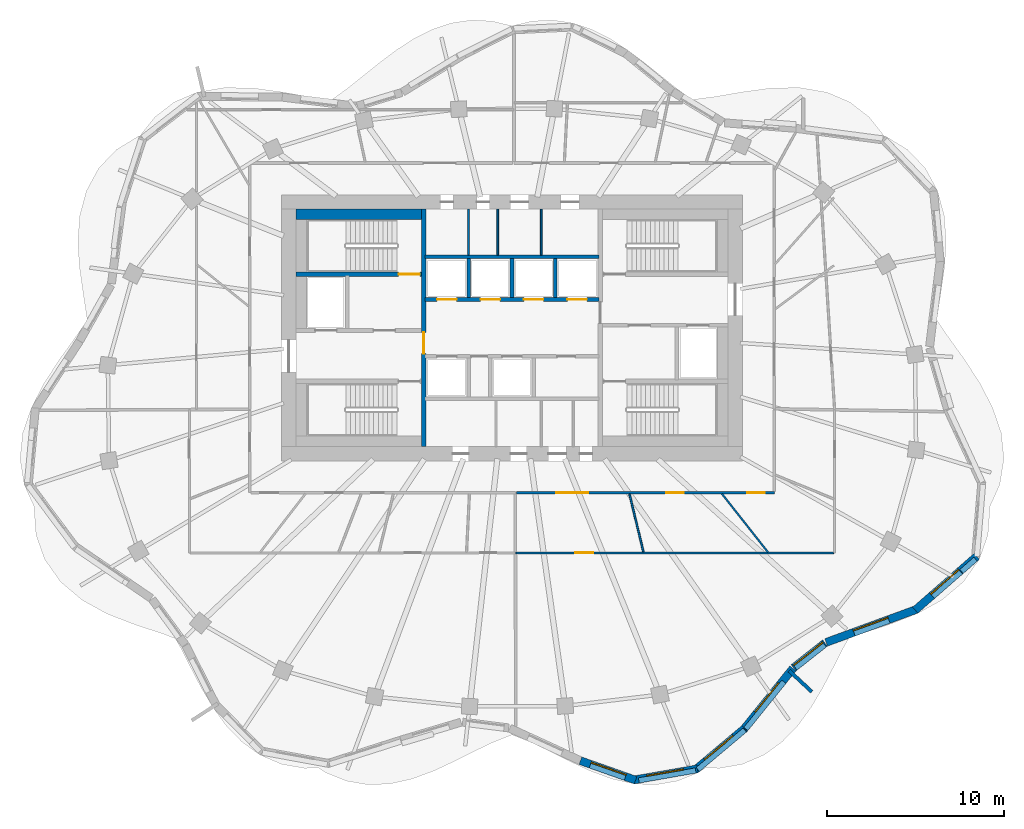
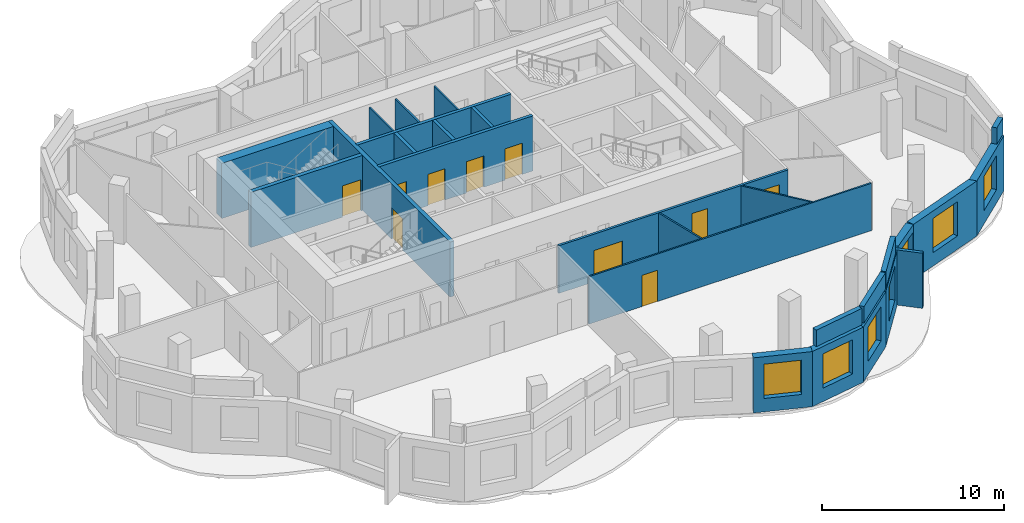
# One storey, part 5 of 9: 27 walls, 10 doors, 7 windows, 17 openings.
"""IFC4 building model written with IfcOpenShell, lengths in metres."""

import ifcopenshell
import ifcopenshell.guid

model = None  # the IFC model being written
_history = None  # IfcOwnerHistory: only IFC2X3 demands one
_inside = {}  # id of a spatial element -> (the spatial element, [elements in it])
_under = {}  # id of a project, library or spatial element -> (it, [spatial elements below it])
_declared = {}  # id of a project -> (the project, [libraries it declares])
_typed = {}  # id of a type object -> (the type object, [elements of that type])
_made_of = {}  # id of a material, layer set ... -> (it, [elements and type objects made of it])


def new_model(schema):
    """Start an empty IFC model of exactly this schema.

    Asked for "IFC4X3", IfcOpenShell would pick the latest addendum, in which some entities
    have other attributes; the version numbers below select the first issue.
    IFC2X3 requires an IfcOwnerHistory on every rooted entity: one is made here for all.
    """
    global model, _history
    if schema == "IFC4X3":
        model = ifcopenshell.file(schema_version=(4, 3, 0, 0))
    else:
        model = ifcopenshell.file(schema=schema)
    _inside.clear()
    _under.clear()
    _declared.clear()
    _typed.clear()
    _made_of.clear()
    _history = None
    if model.schema == "IFC2X3":
        org = make("IfcOrganization", Name="unknown")
        user = make(
            "IfcPersonAndOrganization",
            ThePerson=make("IfcPerson", FamilyName="unknown"),
            TheOrganization=org,
        )
        app = make(
            "IfcApplication",
            ApplicationDeveloper=org,
            Version="unknown",
            ApplicationFullName="unknown",
            ApplicationIdentifier="unknown",
        )
        _history = make(
            "IfcOwnerHistory",
            OwningUser=user,
            OwningApplication=app,
            ChangeAction="ADDED",
            CreationDate=0,
        )
    return model


def make(cls, **values):
    """One entity of the class cls with the attributes given. An attribute that is None is left unset."""
    return model.create_entity(
        cls, **{name: value for name, value in values.items() if value is not None}
    )


def rooted(cls, **values):
    """An entity with a GlobalId (a new one), such as an element, a storey or a relation."""
    return make(cls, GlobalId=ifcopenshell.guid.new(), OwnerHistory=_history, **values)


def si_unit(unit_type, name, prefix=None):
    """IfcSIUnit, for example si_unit("LENGTHUNIT", "METRE", prefix="MILLI")."""
    return make("IfcSIUnit", UnitType=unit_type, Prefix=prefix, Name=name)


def assignment(units):
    """IfcUnitAssignment: the units of a project."""
    return None if units is None else make("IfcUnitAssignment", Units=units)


def point(xyz):
    """IfcCartesianPoint."""
    return None if xyz is None else make("IfcCartesianPoint", Coordinates=xyz)


def direction(xyz):
    """IfcDirection."""
    return None if xyz is None else make("IfcDirection", DirectionRatios=xyz)


def frame(location, z_axis=None, x_axis=None):
    """IfcAxis2Placement3D, a coordinate frame: its origin and axes. An axis left out is left unset."""
    return make(
        "IfcAxis2Placement3D",
        Location=point(location),
        Axis=direction(z_axis),
        RefDirection=direction(x_axis),
    )


def frame_2d(location, x_axis=None):
    """IfcAxis2Placement2D, a coordinate frame in the plane: its origin and x axis."""
    return make(
        "IfcAxis2Placement2D", Location=point(location), RefDirection=direction(x_axis)
    )


def origin():
    """The frame at (0, 0, 0) with its axes left unset."""
    return frame((0.0, 0.0, 0.0))


def place(relative_to, where):
    """IfcLocalPlacement: puts the frame where relative to a parent placement (None: the world)."""
    return make(
        "IfcLocalPlacement", PlacementRelTo=relative_to, RelativePlacement=where
    )


def context(
    kind, dimensions, precision=None, world=None, true_north=None, identifier=None
):
    """IfcGeometricRepresentationContext, for example the 3D "Model" context."""
    return make(
        "IfcGeometricRepresentationContext",
        ContextIdentifier=identifier,
        ContextType=kind,
        CoordinateSpaceDimension=dimensions,
        Precision=precision,
        WorldCoordinateSystem=world,
        TrueNorth=true_north,
    )


def subcontext(parent, identifier, kind, view, scale=None):
    """IfcGeometricRepresentationSubContext, for example "Body" below "Model"."""
    return make(
        "IfcGeometricRepresentationSubContext",
        ContextIdentifier=identifier,
        ContextType=kind,
        ParentContext=parent,
        TargetScale=scale,
        TargetView=view,
    )


def project(units=None, contexts=None):
    """IfcProject with its units and contexts."""
    return rooted(
        "IfcProject",
        Name="project",
        RepresentationContexts=contexts,
        UnitsInContext=assignment(units),
    )


def spatial(cls, under=None, at=None, **own):
    """A site, building, storey or space (cls), placed at a placement, below another one or the project."""
    s = rooted(cls, ObjectPlacement=at, **own)
    if under is not None:
        _under.setdefault(under.id(), (under, []))[1].append(s)
    return s


def profile(cls, at=None, kind="AREA", **sizes):
    """A parametric profile (cls). Its sizes go by their IFC names, for example OverallWidth=200.0."""
    return make(cls, ProfileType=kind, Position=at, **sizes)


def rectangle(**sizes):
    """IfcRectangleProfileDef."""
    return profile("IfcRectangleProfileDef", **sizes)


def extrude(swept, where, along, depth):
    """IfcExtrudedAreaSolid: the profile swept, set in the frame where, extruded along a direction by depth."""
    return make(
        "IfcExtrudedAreaSolid",
        SweptArea=swept,
        Position=where,
        ExtrudedDirection=direction(along),
        Depth=depth,
    )


def shape(context_of_items, identifier, shape_type, items):
    """IfcShapeRepresentation: the items that make up one representation, for example the "Body"."""
    return make(
        "IfcShapeRepresentation",
        ContextOfItems=context_of_items,
        RepresentationIdentifier=identifier,
        RepresentationType=shape_type,
        Items=items,
    )


def material(Name=None, Category=None):
    """IfcMaterial."""
    return make("IfcMaterial", Name=Name, Category=Category)


def layer(
    of_material, thickness, ventilated=None, Name=None, Category=None, Priority=None
):
    """IfcMaterialLayer: one layer of a wall or slab, of a material (None: an air gap)."""
    return make(
        "IfcMaterialLayer",
        Material=of_material,
        LayerThickness=thickness,
        IsVentilated=ventilated,
        Name=Name,
        Category=Category,
        Priority=Priority,
    )


def layer_set(layers, Name=None):
    """IfcMaterialLayerSet."""
    return make("IfcMaterialLayerSet", MaterialLayers=layers, LayerSetName=Name)


def made_of(thing, what):
    """Note that an element or type object is made of a material, layer set ...; save() writes the relation."""
    if what is not None:
        _made_of.setdefault(what.id(), (what, []))[1].append(thing)
    return thing


def type_object(cls, material=None, **own):
    """A type object (cls), such as IfcWallType, which elements share."""
    return made_of(rooted(cls, **own), material)


def element(
    cls,
    number,
    at=None,
    inside=None,
    cuts=None,
    type_object=None,
    material=None,
    context=None,
    identifier="Body",
    shape_type=None,
    held_by="IfcProductDefinitionShape",
    body=None,
    shapes=None,
    **own,
):
    """One element of the class cls, such as IfcWall. Its Tag is "e" and its number.

    at: its placement. inside: the storey or other place that contains it. cuts: it is an
    opening in that element (IfcRelVoidsElement). A single representation is given by context,
    identifier, shape_type and body (its items); several are given by shapes. held_by: the class
    of the entity that holds the representations. save() writes the other relations.
    """
    e = rooted(cls, Tag="e%d" % number, ObjectPlacement=at, **own)
    if body is not None:
        shapes = [shape(context, identifier, shape_type, body)]
    if shapes is not None:
        e.Representation = make(held_by, Representations=shapes)
    if inside is not None:
        _inside.setdefault(inside.id(), (inside, []))[1].append(e)
    if cuts is not None:
        rooted(
            "IfcRelVoidsElement", RelatingBuildingElement=cuts, RelatedOpeningElement=e
        )
    if type_object is not None:
        _typed.setdefault(type_object.id(), (type_object, []))[1].append(e)
    return made_of(e, material)


def fill(opening, filler):
    """IfcRelFillsElement: the door or window that sits in an opening."""
    return rooted(
        "IfcRelFillsElement",
        RelatingOpeningElement=opening,
        RelatedBuildingElement=filler,
    )


def aggregate(whole, parts):
    """IfcRelAggregates: a whole, such as a stair, and the parts it consists of."""
    return rooted("IfcRelAggregates", RelatingObject=whole, RelatedObjects=parts)


def save(model, path):
    """Write the relations noted so far, then the file.

    IfcRelAggregates (storeys below a building ...), IfcRelContainedInSpatialStructure (elements
    in a storey), IfcRelDefinesByType, IfcRelAssociatesMaterial and IfcRelDeclares: one each for
    every whole, place, type object, material and project.
    """
    for whole, parts in _under.values():
        aggregate(whole, parts)
    for where, things in _inside.values():
        rooted(
            "IfcRelContainedInSpatialStructure",
            RelatedElements=things,
            RelatingStructure=where,
        )
    for kind, things in _typed.values():
        rooted("IfcRelDefinesByType", RelatedObjects=things, RelatingType=kind)
    for what, things in _made_of.values():
        rooted("IfcRelAssociatesMaterial", RelatedObjects=things, RelatingMaterial=what)
    for by, libraries in _declared.values():
        rooted("IfcRelDeclares", RelatingContext=by, RelatedDefinitions=libraries)
    model.write(path)


model = new_model("IFC4")

# Units and contexts
model_context = context("Model", 3, precision=1e-05, world=origin(), true_north=direction((0.0, 1.0)))
body_context = subcontext(model_context, "Body", "Model", "MODEL_VIEW")
ifc_project = project(units=[si_unit("LENGTHUNIT", "METRE"), si_unit("AREAUNIT", "SQUARE_METRE"), si_unit("VOLUMEUNIT", "CUBIC_METRE"), si_unit("PLANEANGLEUNIT", "RADIAN"), si_unit("MASSUNIT", "GRAM", prefix="KILO")], contexts=[model_context])

# Site, building, storey
site_placement = place(None, origin())
site = spatial("IfcSite", under=ifc_project, at=site_placement, CompositionType="ELEMENT")
building_placement = place(site_placement, origin())
building = spatial("IfcBuilding", under=site, at=building_placement, Name="Rubra Terraces Tower", CompositionType="ELEMENT")
storey_placement = place(building_placement, frame((0.0, 0.0, 300.0)))
storey = spatial("IfcBuildingStorey", under=building, at=storey_placement, Name="L74", CompositionType="ELEMENT", Elevation=300.0)

# Wall, opening, window
ifc_material_1 = material(Name="Brick masonry red-brown", Category="masonry")
ifc_layer_1 = layer(ifc_material_1, 0.449951171875)
ifc_layer_set_1 = layer_set([ifc_layer_1], Name="Brick masonry red-brown")
wall_type_1 = type_object("IfcWallType", Name="Brick facade wall 450", PredefinedType="SOLIDWALL", material=ifc_layer_set_1)
wall_1_placement = place(storey_placement, frame((3.8603515625, -19.922607421875, 0.0), z_axis=(0.0, 0.0, 1.0), x_axis=(0.943061302397, -0.33261897108, 0.0)))
wall_1 = element("IfcWall", 1, at=wall_1_placement, inside=storey, type_object=wall_type_1, Name="Facade wall L74 bay 32", PredefinedType="SOLIDWALL", context=body_context, shape_type="SweptSolid", body=[
    extrude(rectangle(XDim=3.301513671875, YDim=0.449951171875, at=frame_2d((1.65087890625, 0.0))), origin(), (0.0, 0.0, 1.0), 3.699951171875),
])
opening_1_placement = place(wall_1_placement, frame((0.600830078125, 0.0, 0.89990234375)))
opening_1 = element("IfcOpeningElement", 2, at=opening_1_placement, cuts=wall_1, Name="Opening W1B", PredefinedType="OPENING", context=body_context, shape_type="SweptSolid", body=[
    extrude(rectangle(XDim=2.10009765625, YDim=2.300048828125, at=frame_2d((1.050048828125, 1.14990234375))), frame((0.0, 0.23486328125, 0.0), z_axis=(0.0, -1.0, 0.0), x_axis=(1.0, 0.0, 0.0)), (0.0, 0.0, 1.0), 0.469970703125),
])
ifc_material_2 = material(Name="Clear glass in aluminium frame", Category="aluminium")
window_type = type_object("IfcWindowType", Name="Fixed deep-set window tall storey 2100 x 2300", PartitioningType="SINGLE_PANEL", PredefinedType="WINDOW", material=ifc_material_2)
window_1_placement = place(opening_1_placement, origin())
window_1 = element("IfcWindow", 3, at=window_1_placement, inside=storey, type_object=window_type, Name="Window L74 bay 32", OverallHeight=2.300048828125, OverallWidth=2.10009765625, PartitioningType="SINGLE_PANEL", PredefinedType="WINDOW", context=body_context, shape_type="SweptSolid", body=[
    extrude(rectangle(XDim=2.10009765625, YDim=2.300048828125, at=frame_2d((1.050048828125, 1.14990234375))), frame((0.0, 0.135009765625, 0.0), z_axis=(0.0, -1.0, 0.0), x_axis=(1.0, 0.0, 0.0)), (0.0, 0.0, 1.0), 0.06005859375),
])
fill(opening_1, window_1)

wall_2_placement = place(storey_placement, frame((6.860107421875, -21.011474609375, 0.0), z_axis=(0.0, 0.0, 1.0), x_axis=(0.985017416972, 0.172454887614, 0.0)))
wall_2 = element("IfcWall", 4, at=wall_2_placement, inside=storey, type_object=wall_type_1, Name="Facade wall L74 bay 33", PredefinedType="SOLIDWALL", context=body_context, shape_type="SweptSolid", body=[
    extrude(rectangle(XDim=3.65380859375, YDim=0.449951171875, at=frame_2d((1.826904296875, 0.0))), origin(), (0.0, 0.0, 1.0), 3.699951171875),
])
opening_2_placement = place(wall_2_placement, frame((0.77685546875, 0.0, 0.89990234375)))
opening_2 = element("IfcOpeningElement", 5, at=opening_2_placement, cuts=wall_2, Name="Opening W1B", PredefinedType="OPENING", context=body_context, shape_type="SweptSolid", body=[
    extrude(rectangle(XDim=2.10009765625, YDim=2.300048828125, at=frame_2d((1.050048828125, 1.14990234375))), frame((0.0, 0.23486328125, 0.0), z_axis=(0.0, -1.0, 0.0), x_axis=(1.0, 0.0, 0.0)), (0.0, 0.0, 1.0), 0.469970703125),
])
window_2_placement = place(opening_2_placement, origin())
window_2 = element("IfcWindow", 6, at=window_2_placement, inside=storey, type_object=window_type, Name="Window L74 bay 33", OverallHeight=2.300048828125, OverallWidth=2.10009765625, PartitioningType="SINGLE_PANEL", PredefinedType="WINDOW", context=body_context, shape_type="SweptSolid", body=[
    extrude(rectangle(XDim=2.10009765625, YDim=2.300048828125, at=frame_2d((1.050048828125, 1.14990234375))), frame((0.0, 0.135009765625, 0.0), z_axis=(0.0, -1.0, 0.0), x_axis=(1.0, 0.0, 0.0)), (0.0, 0.0, 1.0), 0.06005859375),
])
fill(opening_2, window_2)

wall_3_placement = place(storey_placement, frame((10.353271484375, -20.430908203125, 0.0), z_axis=(0.0, 0.0, 1.0), x_axis=(0.765535539659, 0.643393610101, 0.0)))
wall_3 = element("IfcWall", 7, at=wall_3_placement, inside=storey, type_object=wall_type_1, Name="Facade wall L74 bay 34", PredefinedType="SOLIDWALL", context=body_context, shape_type="SweptSolid", body=[
    extrude(rectangle(XDim=3.60791015625, YDim=0.449951171875, at=frame_2d((1.803955078125, 0.0))), origin(), (0.0, 0.0, 1.0), 3.699951171875),
])
opening_3_placement = place(wall_3_placement, frame((0.75390625, 0.0, 0.89990234375)))
opening_3 = element("IfcOpeningElement", 8, at=opening_3_placement, cuts=wall_3, Name="Opening W1B", PredefinedType="OPENING", context=body_context, shape_type="SweptSolid", body=[
    extrude(rectangle(XDim=2.10009765625, YDim=2.300048828125, at=frame_2d((1.050048828125, 1.14990234375))), frame((0.0, 0.23486328125, 0.0), z_axis=(0.0, -1.0, 0.0), x_axis=(1.0, 0.0, 0.0)), (0.0, 0.0, 1.0), 0.469970703125),
])
window_3_placement = place(opening_3_placement, origin())
window_3 = element("IfcWindow", 9, at=window_3_placement, inside=storey, type_object=window_type, Name="Window L74 bay 34", OverallHeight=2.300048828125, OverallWidth=2.10009765625, PartitioningType="SINGLE_PANEL", PredefinedType="WINDOW", context=body_context, shape_type="SweptSolid", body=[
    extrude(rectangle(XDim=2.10009765625, YDim=2.300048828125, at=frame_2d((1.050048828125, 1.14990234375))), frame((0.0, 0.135009765625, 0.0), z_axis=(0.0, -1.0, 0.0), x_axis=(1.0, 0.0, 0.0)), (0.0, 0.0, 1.0), 0.06005859375),
])
fill(opening_3, window_3)

wall_4_placement = place(storey_placement, frame((13.0849609375, -18.140380859375, 0.0), z_axis=(0.0, 0.0, 1.0), x_axis=(0.628273836344, 0.777992279245, 0.0)))
wall_4 = element("IfcWall", 10, at=wall_4_placement, inside=storey, type_object=wall_type_1, Name="Facade wall L74 bay 35", PredefinedType="SOLIDWALL", context=body_context, shape_type="SweptSolid", body=[
    extrude(rectangle(XDim=4.401123046875, YDim=0.449951171875, at=frame_2d((2.20068359375, 0.0))), origin(), (0.0, 0.0, 1.0), 3.699951171875),
])
opening_4_placement = place(wall_4_placement, frame((1.150634765625, 0.0, 0.89990234375)))
opening_4 = element("IfcOpeningElement", 11, at=opening_4_placement, cuts=wall_4, Name="Opening W1B", PredefinedType="OPENING", context=body_context, shape_type="SweptSolid", body=[
    extrude(rectangle(XDim=2.10009765625, YDim=2.300048828125, at=frame_2d((1.050048828125, 1.14990234375))), frame((0.0, 0.23486328125, 0.0), z_axis=(0.0, -1.0, 0.0), x_axis=(1.0, 0.0, 0.0)), (0.0, 0.0, 1.0), 0.469970703125),
])
window_4_placement = place(opening_4_placement, origin())
window_4 = element("IfcWindow", 12, at=window_4_placement, inside=storey, type_object=window_type, Name="Window L74 bay 35", OverallHeight=2.300048828125, OverallWidth=2.10009765625, PartitioningType="SINGLE_PANEL", PredefinedType="WINDOW", context=body_context, shape_type="SweptSolid", body=[
    extrude(rectangle(XDim=2.10009765625, YDim=2.300048828125, at=frame_2d((1.050048828125, 1.14990234375))), frame((0.0, 0.135009765625, 0.0), z_axis=(0.0, -1.0, 0.0), x_axis=(1.0, 0.0, 0.0)), (0.0, 0.0, 1.0), 0.06005859375),
])
fill(opening_4, window_4)

wall_5_placement = place(storey_placement, frame((15.885986328125, -14.680908203125, 0.0), z_axis=(0.0, 0.0, 1.0), x_axis=(0.78545189886, 0.618922704849, 0.0)))
wall_5 = element("IfcWall", 13, at=wall_5_placement, inside=storey, type_object=wall_type_1, Name="Facade wall L74 bay 36", PredefinedType="SOLIDWALL", context=body_context, shape_type="SweptSolid", body=[
    extrude(rectangle(XDim=2.2607421875, YDim=0.449951171875, at=frame_2d((1.13037109375, 0.0))), origin(), (0.0, 0.0, 1.0), 3.699951171875),
])
opening_5_placement = place(wall_5_placement, frame((0.080322265625, 0.0, 0.89990234375)))
opening_5 = element("IfcOpeningElement", 14, at=opening_5_placement, cuts=wall_5, Name="Opening W1B", PredefinedType="OPENING", context=body_context, shape_type="SweptSolid", body=[
    extrude(rectangle(XDim=2.10009765625, YDim=2.300048828125, at=frame_2d((1.050048828125, 1.14990234375))), frame((0.0, 0.23486328125, 0.0), z_axis=(0.0, -1.0, 0.0), x_axis=(1.0, 0.0, 0.0)), (0.0, 0.0, 1.0), 0.469970703125),
])
window_5_placement = place(opening_5_placement, origin())
window_5 = element("IfcWindow", 15, at=window_5_placement, inside=storey, type_object=window_type, Name="Window L74 bay 36", OverallHeight=2.300048828125, OverallWidth=2.10009765625, PartitioningType="SINGLE_PANEL", PredefinedType="WINDOW", context=body_context, shape_type="SweptSolid", body=[
    extrude(rectangle(XDim=2.10009765625, YDim=2.300048828125, at=frame_2d((1.050048828125, 1.14990234375))), frame((0.0, 0.135009765625, 0.0), z_axis=(0.0, -1.0, 0.0), x_axis=(1.0, 0.0, 0.0)), (0.0, 0.0, 1.0), 0.06005859375),
])
fill(opening_5, window_5)

wall_6_placement = place(storey_placement, frame((17.7236328125, -13.247314453125, 0.0), z_axis=(0.0, 0.0, 1.0), x_axis=(0.939241771593, 0.343256310203, 0.0)))
wall_6 = element("IfcWall", 16, at=wall_6_placement, inside=storey, type_object=wall_type_1, Name="Facade wall L74 bay 37", PredefinedType="SOLIDWALL", context=body_context, shape_type="SweptSolid", body=[
    extrude(rectangle(XDim=5.426025390625, YDim=0.449951171875, at=frame_2d((2.712890625, 0.0))), origin(), (0.0, 0.0, 1.0), 3.699951171875),
])
opening_6_placement = place(wall_6_placement, frame((1.6630859375, 0.0, 0.89990234375)))
opening_6 = element("IfcOpeningElement", 17, at=opening_6_placement, cuts=wall_6, Name="Opening W1B", PredefinedType="OPENING", context=body_context, shape_type="SweptSolid", body=[
    extrude(rectangle(XDim=2.10009765625, YDim=2.300048828125, at=frame_2d((1.050048828125, 1.14990234375))), frame((0.0, 0.23486328125, 0.0), z_axis=(0.0, -1.0, 0.0), x_axis=(1.0, 0.0, 0.0)), (0.0, 0.0, 1.0), 0.469970703125),
])
window_6_placement = place(opening_6_placement, origin())
window_6 = element("IfcWindow", 18, at=window_6_placement, inside=storey, type_object=window_type, Name="Window L74 bay 37", OverallHeight=2.300048828125, OverallWidth=2.10009765625, PartitioningType="SINGLE_PANEL", PredefinedType="WINDOW", context=body_context, shape_type="SweptSolid", body=[
    extrude(rectangle(XDim=2.10009765625, YDim=2.300048828125, at=frame_2d((1.050048828125, 1.14990234375))), frame((0.0, 0.135009765625, 0.0), z_axis=(0.0, -1.0, 0.0), x_axis=(1.0, 0.0, 0.0)), (0.0, 0.0, 1.0), 0.06005859375),
])
fill(opening_6, window_6)

wall_7_placement = place(storey_placement, frame((22.74951171875, -11.4267578125, 0.0), z_axis=(0.0, 0.0, 1.0), x_axis=(0.753367370231, 0.657599882506, 0.0)))
wall_7 = element("IfcWall", 19, at=wall_7_placement, inside=storey, type_object=wall_type_1, Name="Facade wall L74 bay 38", PredefinedType="SOLIDWALL", context=body_context, shape_type="SweptSolid", body=[
    extrude(rectangle(XDim=4.606689453125, YDim=0.449951171875, at=frame_2d((2.30322265625, 0.0))), origin(), (0.0, 0.0, 1.0), 3.699951171875),
])
opening_7_placement = place(wall_7_placement, frame((1.25341796875, 0.0, 0.89990234375)))
opening_7 = element("IfcOpeningElement", 20, at=opening_7_placement, cuts=wall_7, Name="Opening W1B", PredefinedType="OPENING", context=body_context, shape_type="SweptSolid", body=[
    extrude(rectangle(XDim=2.10009765625, YDim=2.300048828125, at=frame_2d((1.050048828125, 1.14990234375))), frame((0.0, 0.23486328125, 0.0), z_axis=(0.0, -1.0, 0.0), x_axis=(1.0, 0.0, 0.0)), (0.0, 0.0, 1.0), 0.469970703125),
])
window_7_placement = place(opening_7_placement, origin())
window_7 = element("IfcWindow", 21, at=window_7_placement, inside=storey, type_object=window_type, Name="Window L74 bay 38", OverallHeight=2.300048828125, OverallWidth=2.10009765625, PartitioningType="SINGLE_PANEL", PredefinedType="WINDOW", context=body_context, shape_type="SweptSolid", body=[
    extrude(rectangle(XDim=2.10009765625, YDim=2.300048828125, at=frame_2d((1.050048828125, 1.14990234375))), frame((0.0, 0.135009765625, 0.0), z_axis=(0.0, -1.0, 0.0), x_axis=(1.0, 0.0, 0.0)), (0.0, 0.0, 1.0), 0.06005859375),
])
fill(opening_7, window_7)

# Walls
ifc_layer_2 = layer(ifc_material_1, 0.300048828125)
ifc_layer_set_2 = layer_set([ifc_layer_2], Name="Brick masonry red-brown")
wall_type_2 = type_object("IfcWallType", Name="Brick parapet 300", PredefinedType="PARAPET", material=ifc_layer_set_2)
wall_8_placement = place(storey_placement, frame((7.1533203125, -21.0361328125, 3.89990234375), z_axis=(0.0, 0.0, 1.0), x_axis=(0.985026968375, 0.172400323589, 0.0)))
element("IfcWall", 22, at=wall_8_placement, inside=storey, type_object=wall_type_2, Name="Parapet L74 bay 33", PredefinedType="PARAPET", context=body_context, shape_type="SweptSolid", body=[
    extrude(rectangle(XDim=3.258544921875, YDim=0.300048828125, at=frame_2d((1.62939453125, 0.0))), origin(), (0.0, 0.0, 1.0), 1.10009765625),
])
wall_9_placement = place(storey_placement, frame((10.486083984375, -20.4169921875, 3.89990234375), z_axis=(0.0, 0.0, 1.0), x_axis=(0.765557356731, 0.64336765038, 0.0)))
element("IfcWall", 23, at=wall_9_placement, inside=storey, type_object=wall_type_2, Name="Parapet L74 bay 34", PredefinedType="PARAPET", context=body_context, shape_type="SweptSolid", body=[
    extrude(rectangle(XDim=3.45654296875, YDim=0.300048828125, at=frame_2d((1.728271484375, 0.0))), origin(), (0.0, 0.0, 1.0), 1.10009765625),
])
wall_10_placement = place(storey_placement, frame((13.1943359375, -18.1298828125, 3.89990234375), z_axis=(0.0, 0.0, 1.0), x_axis=(0.628264043073, 0.778000187777, 0.0)))
element("IfcWall", 24, at=wall_10_placement, inside=storey, type_object=wall_type_2, Name="Parapet L74 bay 35", PredefinedType="PARAPET", context=body_context, shape_type="SweptSolid", body=[
    extrude(rectangle(XDim=3.42236328125, YDim=0.300048828125, at=frame_2d((1.711181640625, 0.0))), origin(), (0.0, 0.0, 1.0), 1.10009765625),
])
wall_11_placement = place(storey_placement, frame((25.3623046875, -9.24560546875, 3.89990234375), z_axis=(0.0, 0.0, 1.0), x_axis=(0.753495699064, 0.657452835945, 0.0)))
element("IfcWall", 25, at=wall_11_placement, inside=storey, type_object=wall_type_2, Name="Parapet L74 bay 38", PredefinedType="PARAPET", context=body_context, shape_type="SweptSolid", body=[
    extrude(rectangle(XDim=1.052490234375, YDim=0.300048828125, at=frame_2d((0.5263671875, 0.0))), origin(), (0.0, 0.0, 1.0), 1.10009765625),
])
ifc_layer_3 = layer(ifc_material_1, 0.199951171875)
ifc_layer_set_3 = layer_set([ifc_layer_3], Name="Brick masonry red-brown")
wall_type_3 = type_object("IfcWallType", Name="Brick wind fin 200", PredefinedType="SOLIDWALL", material=ifc_layer_set_3)
wall_12_placement = place(storey_placement, frame((15.632080078125, -14.837890625, 0.0), z_axis=(0.0, 0.0, 1.0), x_axis=(0.73177399504, -0.681547371929, 0.0)))
element("IfcWall", 26, at=wall_12_placement, inside=storey, type_object=wall_type_3, Name="Wind fin L74 18", PredefinedType="SOLIDWALL", context=body_context, shape_type="SweptSolid", body=[
    extrude(rectangle(XDim=1.75, YDim=0.199951171875, at=frame_2d((0.875, 0.0))), origin(), (0.0, 0.0, 1.0), 3.699951171875),
])

# Wall, openings, doors
ifc_material_3 = material(Name="Plasterboard on steel stud, mineral wool infill", Category="steel")
ifc_layer_4 = layer(ifc_material_3, 0.14990234375)
ifc_layer_set_4 = layer_set([ifc_layer_4], Name="Plasterboard on steel stud, mineral wool infill")
wall_type_4 = type_object("IfcWallType", Name="CORRIDOR PARTITION 150", PredefinedType="PARTITIONING", material=ifc_layer_set_4)
wall_13_placement = place(storey_placement, frame((0.260498046875, -4.800048828125, 0.0), z_axis=(0.0, 0.0, 1.0), x_axis=(1.0, 0.0, 0.0)))
wall_13 = element("IfcWall", 27, at=wall_13_placement, inside=storey, type_object=wall_type_4, Name="PARTITION", PredefinedType="PARTITIONING", context=body_context, shape_type="SweptSolid", body=[
    extrude(rectangle(XDim=14.53955078125, YDim=0.14990234375, at=frame_2d((7.269775390625, 0.0))), origin(), (0.0, 0.0, 1.0), 3.197998046875),
])
opening_8_placement = place(wall_13_placement, frame((2.238037109375, 0.0, 0.0)))
opening_8 = element("IfcOpeningElement", 28, at=opening_8_placement, cuts=wall_13, Name="Opening 74-117", PredefinedType="OPENING", context=body_context, shape_type="SweptSolid", body=[
    extrude(rectangle(XDim=1.800048828125, YDim=2.10009765625, at=frame_2d((0.89990234375, 1.050048828125))), frame((0.0, 0.0849609375, 0.0), z_axis=(0.0, -1.0, 0.0), x_axis=(1.0, 0.0, 0.0)), (0.0, 0.0, 1.0), 0.169921875),
])
opening_9_placement = place(wall_13_placement, frame((8.44091796875, 0.0, 0.0)))
opening_9 = element("IfcOpeningElement", 29, at=opening_9_placement, cuts=wall_13, Name="Opening 74-119", PredefinedType="OPENING", context=body_context, shape_type="SweptSolid", body=[
    extrude(rectangle(XDim=1.0, YDim=2.39990234375, at=frame_2d((0.5, 1.199951171875))), frame((0.0, 0.0849609375, 0.0), z_axis=(0.0, -1.0, 0.0), x_axis=(1.0, 0.0, 0.0)), (0.0, 0.0, 1.0), 0.169921875),
])
opening_10_placement = place(wall_13_placement, frame((13.0, 0.0, 0.0)))
opening_10 = element("IfcOpeningElement", 30, at=opening_10_placement, cuts=wall_13, Name="Opening 74-120", PredefinedType="OPENING", context=body_context, shape_type="SweptSolid", body=[
    extrude(rectangle(XDim=1.0, YDim=2.39990234375, at=frame_2d((0.5, 1.199951171875))), frame((0.0, 0.0849609375, 0.0), z_axis=(0.0, -1.0, 0.0), x_axis=(1.0, 0.0, 0.0)), (0.0, 0.0, 1.0), 0.169921875),
])
ifc_material_4 = material(Name="Glazed aluminium meeting door leaf", Category="aluminium")
door_type_1 = type_object("IfcDoorType", Name="MEETING ROOM GLAZED DOOR 1000 X 2400", OperationType="SINGLE_SWING_LEFT", PredefinedType="DOOR", material=ifc_material_4)
door_1_placement = place(opening_9_placement, origin())
door_1 = element("IfcDoor", 31, at=door_1_placement, inside=storey, type_object=door_type_1, Name="DOOR 74-119", OperationType="SINGLE_SWING_RIGHT", OverallHeight=2.39990234375, OverallWidth=1.0, PredefinedType="DOOR", context=body_context, shape_type="SweptSolid", body=[
    extrude(rectangle(XDim=1.0, YDim=2.39990234375, at=frame_2d((0.5, 1.199951171875))), frame((0.0, 0.02490234375, 0.0), z_axis=(0.0, -1.0, 0.0), x_axis=(1.0, 0.0, 0.0)), (0.0, 0.0, 1.0), 0.050048828125),
])
fill(opening_9, door_1)
door_2_placement = place(opening_10_placement, origin())
door_2 = element("IfcDoor", 32, at=door_2_placement, inside=storey, type_object=door_type_1, Name="DOOR 74-120", OperationType="SINGLE_SWING_RIGHT", OverallHeight=2.39990234375, OverallWidth=1.0, PredefinedType="DOOR", context=body_context, shape_type="SweptSolid", body=[
    extrude(rectangle(XDim=1.0, YDim=2.39990234375, at=frame_2d((0.5, 1.199951171875))), frame((0.0, 0.02490234375, 0.0), z_axis=(0.0, -1.0, 0.0), x_axis=(1.0, 0.0, 0.0)), (0.0, 0.0, 1.0), 0.050048828125),
])
fill(opening_10, door_2)
ifc_material_5 = material(Name="Painted timber door leaf, double", Category="wood")
door_type_2 = type_object("IfcDoorType", Name="ROOM DOUBLE DOOR 1800 X 2100", OperationType="DOUBLE_DOOR_SINGLE_SWING", PredefinedType="DOOR", material=ifc_material_5)
door_3_placement = place(opening_8_placement, origin())
door_3 = element("IfcDoor", 33, at=door_3_placement, inside=storey, type_object=door_type_2, Name="DOOR 74-117", OperationType="DOUBLE_DOOR_SINGLE_SWING", OverallHeight=2.10009765625, OverallWidth=1.800048828125, PredefinedType="DOOR", context=body_context, shape_type="SweptSolid", body=[
    extrude(rectangle(XDim=1.800048828125, YDim=2.10009765625, at=frame_2d((0.89990234375, 1.050048828125))), frame((0.0, 0.02490234375, 0.0), z_axis=(0.0, -1.0, 0.0), x_axis=(1.0, 0.0, 0.0)), (0.0, 0.0, 1.0), 0.050048828125),
])
fill(opening_8, door_3)

# Wall
ifc_material_6 = material(Name="Concrete C40", Category="concrete")
ifc_layer_5 = layer(ifc_material_6, 0.60009765625)
ifc_layer_set_5 = layer_set([ifc_layer_5], Name="Concrete C40")
wall_type_5 = type_object("IfcWallType", Name="Core lining wall 600 concrete", PredefinedType="SOLIDWALL", material=ifc_layer_set_5)
wall_14_placement = place(storey_placement, frame((-12.199951171875, 10.89990234375, 0.0), z_axis=(0.0, 0.0, 1.0), x_axis=(1.0, 0.0, 0.0)))
element("IfcWall", 34, at=wall_14_placement, inside=storey, type_object=wall_type_5, Name="CORE LINING WALL L74", PredefinedType="SOLIDWALL", context=body_context, shape_type="SweptSolid", body=[
    extrude(rectangle(XDim=7.099853515625, YDim=0.60009765625, at=frame_2d((3.5498046875, 0.0))), origin(), (0.0, 0.0, 1.0), 3.699951171875),
])

# Wall, openings, doors
ifc_material_7 = material(Name="Concrete C30", Category="concrete")
ifc_layer_6 = layer(ifc_material_7, 0.199951171875)
ifc_layer_set_6 = layer_set([ifc_layer_6], Name="Concrete C30")
wall_type_6 = type_object("IfcWallType", Name="Core wall 200 concrete", PredefinedType="SOLIDWALL", material=ifc_layer_set_6)
wall_15_placement = place(storey_placement, frame((-4.89990234375, 6.10009765625, 0.0), z_axis=(0.0, 0.0, 1.0), x_axis=(1.0, 0.0, 0.0)))
wall_15 = element("IfcWall", 35, at=wall_15_placement, inside=storey, type_object=wall_type_6, Name="LIFT SHAFT WALL L74", PredefinedType="SOLIDWALL", context=body_context, shape_type="SweptSolid", body=[
    extrude(rectangle(XDim=9.7998046875, YDim=0.199951171875, at=frame_2d((4.89990234375, 0.0))), origin(), (0.0, 0.0, 1.0), 3.699951171875),
])
opening_11_placement = place(wall_15_placement, frame((0.675048828125, 0.0, 0.0)))
opening_11 = element("IfcOpeningElement", 36, at=opening_11_placement, cuts=wall_15, Name="Opening L74.C17", PredefinedType="OPENING", context=body_context, shape_type="SweptSolid", body=[
    extrude(rectangle(XDim=1.10009765625, YDim=2.10009765625, at=frame_2d((0.550048828125, 1.050048828125))), frame((0.0, 0.10986328125, 0.0), z_axis=(0.0, -1.0, 0.0), x_axis=(1.0, 0.0, 0.0)), (0.0, 0.0, 1.0), 0.219970703125),
])
opening_12_placement = place(wall_15_placement, frame((3.125, 0.0, 0.0)))
opening_12 = element("IfcOpeningElement", 37, at=opening_12_placement, cuts=wall_15, Name="Opening L74.C18", PredefinedType="OPENING", context=body_context, shape_type="SweptSolid", body=[
    extrude(rectangle(XDim=1.10009765625, YDim=2.10009765625, at=frame_2d((0.550048828125, 1.050048828125))), frame((0.0, 0.10986328125, 0.0), z_axis=(0.0, -1.0, 0.0), x_axis=(1.0, 0.0, 0.0)), (0.0, 0.0, 1.0), 0.219970703125),
])
opening_13_placement = place(wall_15_placement, frame((5.574951171875, 0.0, 0.0)))
opening_13 = element("IfcOpeningElement", 38, at=opening_13_placement, cuts=wall_15, Name="Opening L74.C19", PredefinedType="OPENING", context=body_context, shape_type="SweptSolid", body=[
    extrude(rectangle(XDim=1.10009765625, YDim=2.10009765625, at=frame_2d((0.550048828125, 1.050048828125))), frame((0.0, 0.10986328125, 0.0), z_axis=(0.0, -1.0, 0.0), x_axis=(1.0, 0.0, 0.0)), (0.0, 0.0, 1.0), 0.219970703125),
])
opening_14_placement = place(wall_15_placement, frame((8.02490234375, 0.0, 0.0)))
opening_14 = element("IfcOpeningElement", 39, at=opening_14_placement, cuts=wall_15, Name="Opening L74.C20", PredefinedType="OPENING", context=body_context, shape_type="SweptSolid", body=[
    extrude(rectangle(XDim=1.10009765625, YDim=2.10009765625, at=frame_2d((0.550048828125, 1.050048828125))), frame((0.0, 0.10986328125, 0.0), z_axis=(0.0, -1.0, 0.0), x_axis=(1.0, 0.0, 0.0)), (0.0, 0.0, 1.0), 0.219970703125),
])
ifc_material_8 = material(Name="Stainless steel", Category="steel")
door_type_3 = type_object("IfcDoorType", Name="Lift landing door 1100x2100", OperationType="NOTDEFINED", PredefinedType="DOOR", material=ifc_material_8)
door_4_placement = place(opening_11_placement, origin())
door_4 = element("IfcDoor", 40, at=door_4_placement, inside=storey, type_object=door_type_3, Name="Landing door HB3", OperationType="SLIDING_TO_RIGHT", OverallHeight=2.10009765625, OverallWidth=1.10009765625, PredefinedType="DOOR", context=body_context, shape_type="SweptSolid", body=[
    extrude(rectangle(XDim=1.10009765625, YDim=2.10009765625, at=frame_2d((0.550048828125, 1.050048828125))), frame((0.0, 0.02490234375, 0.0), z_axis=(0.0, -1.0, 0.0), x_axis=(1.0, 0.0, 0.0)), (0.0, 0.0, 1.0), 0.050048828125),
])
fill(opening_11, door_4)
door_5_placement = place(opening_12_placement, origin())
door_5 = element("IfcDoor", 41, at=door_5_placement, inside=storey, type_object=door_type_3, Name="Landing door HB4", OperationType="SLIDING_TO_LEFT", OverallHeight=2.10009765625, OverallWidth=1.10009765625, PredefinedType="DOOR", context=body_context, shape_type="SweptSolid", body=[
    extrude(rectangle(XDim=1.10009765625, YDim=2.10009765625, at=frame_2d((0.550048828125, 1.050048828125))), frame((0.0, 0.02490234375, 0.0), z_axis=(0.0, -1.0, 0.0), x_axis=(1.0, 0.0, 0.0)), (0.0, 0.0, 1.0), 0.050048828125),
])
fill(opening_12, door_5)
door_6_placement = place(opening_13_placement, origin())
door_6 = element("IfcDoor", 42, at=door_6_placement, inside=storey, type_object=door_type_3, Name="Landing door HB5", OperationType="SLIDING_TO_RIGHT", OverallHeight=2.10009765625, OverallWidth=1.10009765625, PredefinedType="DOOR", context=body_context, shape_type="SweptSolid", body=[
    extrude(rectangle(XDim=1.10009765625, YDim=2.10009765625, at=frame_2d((0.550048828125, 1.050048828125))), frame((0.0, 0.02490234375, 0.0), z_axis=(0.0, -1.0, 0.0), x_axis=(1.0, 0.0, 0.0)), (0.0, 0.0, 1.0), 0.050048828125),
])
fill(opening_13, door_6)
door_7_placement = place(opening_14_placement, origin())
door_7 = element("IfcDoor", 43, at=door_7_placement, inside=storey, type_object=door_type_3, Name="Landing door HB6", OperationType="SLIDING_TO_LEFT", OverallHeight=2.10009765625, OverallWidth=1.10009765625, PredefinedType="DOOR", context=body_context, shape_type="SweptSolid", body=[
    extrude(rectangle(XDim=1.10009765625, YDim=2.10009765625, at=frame_2d((0.550048828125, 1.050048828125))), frame((0.0, 0.02490234375, 0.0), z_axis=(0.0, -1.0, 0.0), x_axis=(1.0, 0.0, 0.0)), (0.0, 0.0, 1.0), 0.050048828125),
])
fill(opening_14, door_7)

# Walls
wall_16_placement = place(storey_placement, frame((-4.89990234375, 8.5, 0.0), z_axis=(0.0, 0.0, 1.0), x_axis=(1.0, 0.0, 0.0)))
element("IfcWall", 44, at=wall_16_placement, inside=storey, type_object=wall_type_6, Name="LIFT SHAFT WALL L74", PredefinedType="SOLIDWALL", context=body_context, shape_type="SweptSolid", body=[
    extrude(rectangle(XDim=9.7998046875, YDim=0.199951171875, at=frame_2d((4.89990234375, 0.0))), origin(), (0.0, 0.0, 1.0), 3.699951171875),
])
for number, where, z_axis, x_axis, name in (
    (45, (-2.449951171875, 6.199951171875, 0.0), (0.0, 0.0, 1.0), (0.0, 1.0, 0.0), "LIFT SHAFT WALL L74"),
    (46, (0.0, 6.199951171875, 0.0), (0.0, 0.0, 1.0), (0.0, 1.0, 0.0), "LIFT SHAFT WALL L74"),
    (47, (2.449951171875, 6.199951171875, 0.0), (0.0, 0.0, 1.0), (0.0, 1.0, 0.0), "LIFT SHAFT WALL L74"),
):
    element("IfcWall", number, at=place(storey_placement, frame(where, z_axis=z_axis, x_axis=x_axis)), inside=storey, type_object=wall_type_6, Name=name, PredefinedType="SOLIDWALL", context=body_context, shape_type="SweptSolid", body=[
        extrude(rectangle(XDim=2.199951171875, YDim=0.199951171875, at=frame_2d((1.10009765625, 0.0))), origin(), (0.0, 0.0, 1.0), 3.699951171875),
    ])

# Wall, opening, door
ifc_material_9 = material(Name="Plasterboard on steel stud", Category="steel")
ifc_layer_7 = layer(ifc_material_9, 0.10009765625)
ifc_layer_set_7 = layer_set([ifc_layer_7], Name="Plasterboard on steel stud")
wall_type_7 = type_object("IfcWallType", Name="ROOM PARTITION 100", PredefinedType="PARTITIONING", material=ifc_layer_set_7)
wall_17_placement = place(storey_placement, frame((18.14990234375, -8.199951171875, 0.0), z_axis=(0.0, 0.0, 1.0), x_axis=(-1.0, 0.0, 0.0)))
wall_17 = element("IfcWall", 48, at=wall_17_placement, inside=storey, type_object=wall_type_7, Name="PARTITION", PredefinedType="PARTITIONING", context=body_context, shape_type="SweptSolid", body=[
    extrude(rectangle(XDim=17.937255859375, YDim=0.10009765625, at=frame_2d((8.96875, 0.0))), origin(), (0.0, 0.0, 1.0), 3.18408203125),
])
opening_15_placement = place(wall_17_placement, frame((13.570068359375, 0.0, 0.0)))
opening_15 = element("IfcOpeningElement", 49, at=opening_15_placement, cuts=wall_17, Name="Opening 74-118", PredefinedType="OPENING", context=body_context, shape_type="SweptSolid", body=[
    extrude(rectangle(XDim=1.0, YDim=2.10009765625, at=frame_2d((0.5, 1.050048828125))), frame((0.0, 0.06005859375, 0.0), z_axis=(0.0, -1.0, 0.0), x_axis=(1.0, 0.0, 0.0)), (0.0, 0.0, 1.0), 0.1201171875),
])
ifc_material_10 = material(Name="Painted timber door leaf", Category="wood")
door_type_4 = type_object("IfcDoorType", Name="ROOM DOOR 1000 X 2100", OperationType="SINGLE_SWING_LEFT", PredefinedType="DOOR", material=ifc_material_10)
door_8_placement = place(opening_15_placement, origin())
door_8 = element("IfcDoor", 50, at=door_8_placement, inside=storey, type_object=door_type_4, Name="DOOR 74-118", OperationType="SINGLE_SWING_LEFT", OverallHeight=2.10009765625, OverallWidth=1.0, PredefinedType="DOOR", context=body_context, shape_type="SweptSolid", body=[
    extrude(rectangle(XDim=1.0, YDim=2.10009765625, at=frame_2d((0.5, 1.050048828125))), frame((0.0, 0.02490234375, 0.0), z_axis=(0.0, -1.0, 0.0), x_axis=(1.0, 0.0, 0.0)), (0.0, 0.0, 1.0), 0.050048828125),
])
fill(opening_15, door_8)

# Walls
wall_18_placement = place(storey_placement, frame((6.628662109375, -4.872802734375, 0.0), z_axis=(0.0, 0.0, 1.0), x_axis=(0.233307223636, -0.972403074553, 0.0)))
element("IfcWall", 51, at=wall_18_placement, inside=storey, type_object=wall_type_7, Name="PARTITION", PredefinedType="PARTITIONING", context=body_context, shape_type="SweptSolid", body=[
    extrude(rectangle(XDim=3.37158203125, YDim=0.10009765625, at=frame_2d((1.685791015625, 0.0))), origin(), (0.0, 0.0, 1.0), 3.18408203125),
])
wall_19_placement = place(storey_placement, frame((11.839111328125, -4.85888671875, 0.0), z_axis=(0.0, 0.0, 1.0), x_axis=(0.619149025844, -0.78527350891, 0.0)))
element("IfcWall", 52, at=wall_19_placement, inside=storey, type_object=wall_type_7, Name="PARTITION", PredefinedType="PARTITIONING", context=body_context, shape_type="SweptSolid", body=[
    extrude(rectangle(XDim=4.20458984375, YDim=0.10009765625, at=frame_2d((2.102294921875, 0.0))), origin(), (0.0, 0.0, 1.0), 3.18408203125),
])
ifc_material_11 = material(Name="Blockwork", Category="masonry")
ifc_layer_8 = layer(ifc_material_11, 0.10009765625)
ifc_layer_set_8 = layer_set([ifc_layer_8], Name="Blockwork")
wall_type_8 = type_object("IfcWallType", Name="Service partition 100 blockwork", PredefinedType="PARTITIONING", material=ifc_layer_set_8)
for number, where, z_axis, x_axis, name in (
    (53, (-2.449951171875, 8.60009765625, 0.0), (0.0, 0.0, 1.0), (0.0, 1.0, 0.0), "SERVICE ROOM PARTITION L74"),
    (54, (-0.800048828125, 8.60009765625, 0.0), (0.0, 0.0, 1.0), (0.0, 1.0, 0.0), "SERVICE ROOM PARTITION L74"),
    (55, (1.64990234375, 8.60009765625, 0.0), (0.0, 0.0, 1.0), (0.0, 1.0, 0.0), "SERVICE ROOM PARTITION L74"),
):
    element("IfcWall", number, at=place(storey_placement, frame(where, z_axis=z_axis, x_axis=x_axis)), inside=storey, type_object=wall_type_8, Name=name, PredefinedType="PARTITIONING", context=body_context, shape_type="SweptSolid", body=[
        extrude(rectangle(XDim=2.599853515625, YDim=0.10009765625, at=frame_2d((1.2998046875, 0.0))), origin(), (0.0, 0.0, 1.0), 3.699951171875),
    ])

# Wall, opening, door
ifc_layer_9 = layer(ifc_material_6, 0.25)
ifc_layer_set_9 = layer_set([ifc_layer_9], Name="Concrete C40")
wall_type_9 = type_object("IfcWallType", Name="Stair enclosure wall 250 concrete", PredefinedType="SOLIDWALL", material=ifc_layer_set_9)
wall_20_placement = place(storey_placement, frame((-12.199951171875, 7.52490234375, 0.0), z_axis=(0.0, 0.0, 1.0), x_axis=(1.0, 0.0, 0.0)))
wall_20 = element("IfcWall", 56, at=wall_20_placement, inside=storey, type_object=wall_type_9, Name="STAIR WALL L74", PredefinedType="SOLIDWALL", context=body_context, shape_type="SweptSolid", body=[
    extrude(rectangle(XDim=7.099853515625, YDim=0.25, at=frame_2d((3.5498046875, 0.0))), origin(), (0.0, 0.0, 1.0), 3.699951171875),
])
opening_16_placement = place(wall_20_placement, frame((5.800048828125, 0.0, 0.0)))
opening_16 = element("IfcOpeningElement", 57, at=opening_16_placement, cuts=wall_20, Name="Opening L74.C09", PredefinedType="OPENING", context=body_context, shape_type="SweptSolid", body=[
    extrude(rectangle(XDim=1.199951171875, YDim=2.10009765625, at=frame_2d((0.60009765625, 1.050048828125))), frame((0.0, 0.135009765625, 0.0), z_axis=(0.0, -1.0, 0.0), x_axis=(1.0, 0.0, 0.0)), (0.0, 0.0, 1.0), 0.27001953125),
])
ifc_material_12 = material(Name="Painted steel", Category="steel")
door_type_5 = type_object("IfcDoorType", Name="Fire door 1200x2100 single", OperationType="NOTDEFINED", PredefinedType="DOOR", material=ifc_material_12)
door_9_placement = place(opening_16_placement, origin())
door_9 = element("IfcDoor", 58, at=door_9_placement, inside=storey, type_object=door_type_5, Name="Stair door S2", OperationType="SINGLE_SWING_LEFT", OverallHeight=2.10009765625, OverallWidth=1.199951171875, PredefinedType="DOOR", context=body_context, shape_type="SweptSolid", body=[
    extrude(rectangle(XDim=1.199951171875, YDim=2.10009765625, at=frame_2d((0.60009765625, 1.050048828125))), frame((0.0, 0.02490234375, 0.0), z_axis=(0.0, -1.0, 0.0), x_axis=(1.0, 0.0, 0.0)), (0.0, 0.0, 1.0), 0.050048828125),
])
fill(opening_16, door_9)

wall_21_placement = place(storey_placement, frame((-4.97509765625, -2.199951171875, 0.0), z_axis=(0.0, 0.0, 1.0), x_axis=(0.0, 1.0, 0.0)))
wall_21 = element("IfcWall", 59, at=wall_21_placement, inside=storey, type_object=wall_type_9, Name="CORE LOBBY WALL L74", PredefinedType="SOLIDWALL", context=body_context, shape_type="SweptSolid", body=[
    extrude(rectangle(XDim=13.39990234375, YDim=0.25, at=frame_2d((6.699951171875, 0.0))), origin(), (0.0, 0.0, 1.0), 3.699951171875),
])
opening_17_placement = place(wall_21_placement, frame((5.25, 0.0, 0.0)))
opening_17 = element("IfcOpeningElement", 60, at=opening_17_placement, cuts=wall_21, Name="Opening L74.C03", PredefinedType="OPENING", context=body_context, shape_type="SweptSolid", body=[
    extrude(rectangle(XDim=1.199951171875, YDim=2.10009765625, at=frame_2d((0.60009765625, 1.050048828125))), frame((0.0, 0.135009765625, 0.0), z_axis=(0.0, -1.0, 0.0), x_axis=(1.0, 0.0, 0.0)), (0.0, 0.0, 1.0), 0.27001953125),
])
door_10_placement = place(opening_17_placement, origin())
door_10 = element("IfcDoor", 61, at=door_10_placement, inside=storey, type_object=door_type_5, Name="Firefighting lobby door FF1", OperationType="SINGLE_SWING_LEFT", OverallHeight=2.10009765625, OverallWidth=1.199951171875, PredefinedType="DOOR", context=body_context, shape_type="SweptSolid", body=[
    extrude(rectangle(XDim=1.199951171875, YDim=2.10009765625, at=frame_2d((0.60009765625, 1.050048828125))), frame((0.0, 0.02490234375, 0.0), z_axis=(0.0, -1.0, 0.0), x_axis=(1.0, 0.0, 0.0)), (0.0, 0.0, 1.0), 0.050048828125),
])
fill(opening_17, door_10)

save(model, "model.ifc")
